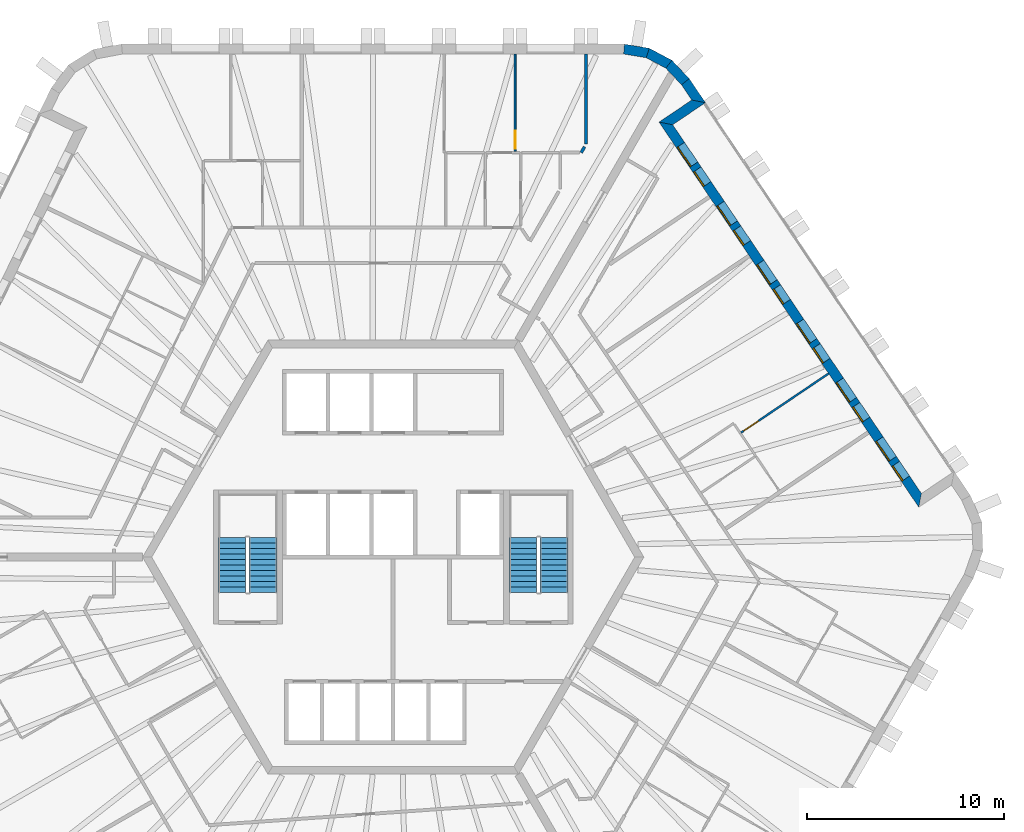
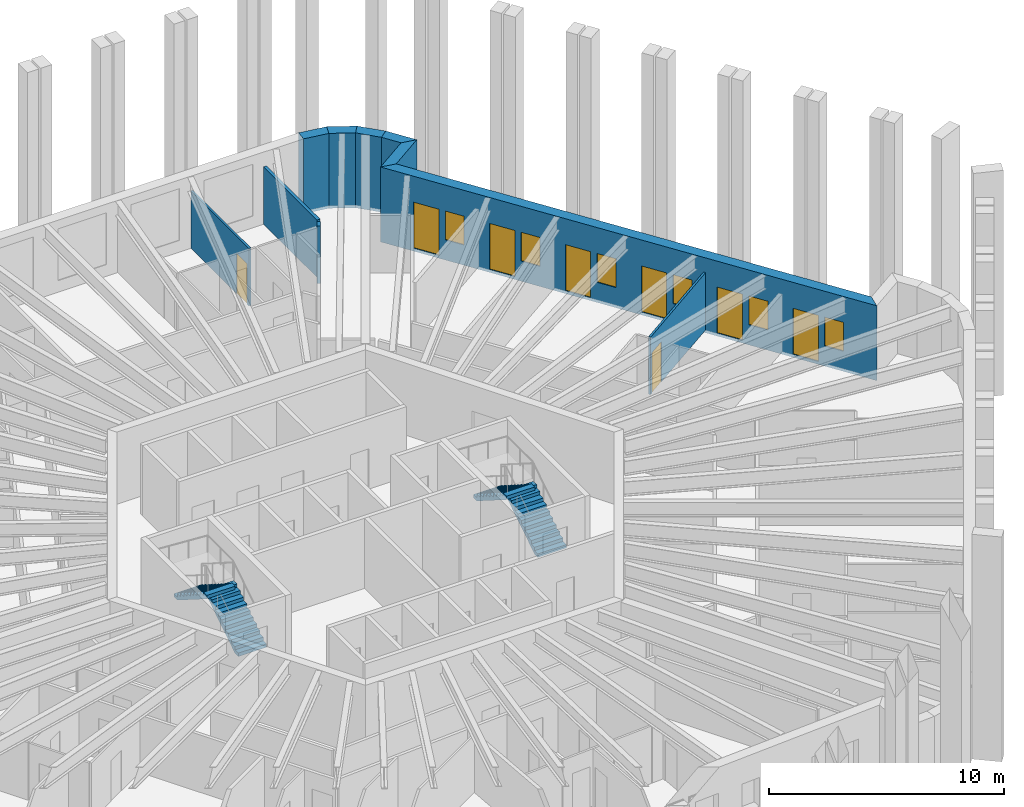
# One storey, part 11 of 13: 10 walls, 8 doors, 6 windows, 4 stair flights, 14 openings, 2 elements without a shape of their own.
"""IFC4 building model written with IfcOpenShell, lengths in metres."""

from ifc_helpers import new_model, si_unit, direction, frame, frame_2d, origin, place, context, subcontext, project, spatial, polyline, rectangle, outline, extrude, material, layer, layer_set, type_object, element, fill, aggregate, save


model = new_model("IFC4")

# Units and contexts
model_context = context("Model", 3, precision=1e-05, world=origin(), true_north=direction((0.0, 1.0)))
body_context = subcontext(model_context, "Body", "Model", "MODEL_VIEW")
ifc_project = project(units=[si_unit("LENGTHUNIT", "METRE"), si_unit("AREAUNIT", "SQUARE_METRE"), si_unit("VOLUMEUNIT", "CUBIC_METRE"), si_unit("PLANEANGLEUNIT", "RADIAN"), si_unit("MASSUNIT", "GRAM", prefix="KILO")], contexts=[model_context])

# Site, building, storey
site_placement = place(None, origin())
site = spatial("IfcSite", under=ifc_project, at=site_placement, CompositionType="ELEMENT")
building_placement = place(site_placement, origin())
building = spatial("IfcBuilding", under=site, at=building_placement, Name="Tarnside Tower", CompositionType="ELEMENT")
storey_placement = place(building_placement, frame((0.0, 0.0, 314.699951171875)))
storey = spatial("IfcBuildingStorey", under=building, at=storey_placement, Name="L76", CompositionType="ELEMENT", Elevation=314.699951171875)

# Walls
ifc_material_1 = material(Name="Gypsum board partition on steel studs", Category="steel")
ifc_layer_1 = layer(ifc_material_1, 0.14990234375)
ifc_layer_set_1 = layer_set([ifc_layer_1], Name="Corridor wall 150 EI 60")
wall_type_1 = type_object("IfcWallType", Name="Corridor wall 150 EI 60", PredefinedType="PARTITIONING", material=ifc_layer_set_1)
wall_1_placement = place(storey_placement, frame((9.775146484375, 25.5, 0.0), z_axis=(0.0, 0.0, 1.0), x_axis=(0.0, -1.0, 0.0)))
element("IfcWall", 1, at=wall_1_placement, inside=storey, type_object=wall_type_1, Name="Corridor wall 25004", PredefinedType="PARTITIONING", context=body_context, shape_type="SweptSolid", body=[
    extrude(rectangle(XDim=4.56884765625, YDim=0.14990234375, at=frame_2d((2.284423828125, 0.0))), origin(), (0.0, 0.0, 1.0), 2.98779296875),
])
wall_2_placement = place(storey_placement, frame((9.7001953125, 20.80126953125, 0.0), z_axis=(0.0, 0.0, 1.0), x_axis=(-0.499762962979, -0.866162213927, 0.0)))
element("IfcWall", 2, at=wall_2_placement, inside=storey, type_object=wall_type_1, Name="Corridor wall 25005", PredefinedType="PARTITIONING", context=body_context, shape_type="SweptSolid", body=[
    extrude(rectangle(XDim=0.347900390625, YDim=0.14990234375, at=frame_2d((0.173828125, 0.0))), origin(), (0.0, 0.0, 1.0), 2.98779296875),
])

# Wall, openings, doors, windows
ifc_material_2 = material(Name="Dark zinc cladding")
ifc_layer_2 = layer(ifc_material_2, 0.10205078125)
ifc_material_3 = material(Name="Concrete C60/75 precast", Category="concrete")
ifc_layer_3 = layer(ifc_material_3, 0.298095703125)
ifc_material_4 = material(Name="Mineral wool insulation")
ifc_layer_4 = layer(ifc_material_4, 0.10009765625)
ifc_layer_set_2 = layer_set([ifc_layer_2, ifc_layer_3, ifc_layer_4], Name="Loggia wall 500 zinc faced")
wall_type_2 = type_object("IfcWallType", Name="Loggia wall 500 zinc faced", PredefinedType="SOLIDWALL", material=ifc_layer_set_2)
wall_3_placement = place(storey_placement, frame((26.705810546875, 2.87890625, -0.14990234375), z_axis=(0.0, 0.0, 1.0), x_axis=(-0.559197891507, 0.829034208061, 0.0)))
wall_3 = element("IfcWall", 3, at=wall_3_placement, inside=storey, type_object=wall_type_2, Name="Tube wall L76 F6 back 30", PredefinedType="SOLIDWALL", context=body_context, shape_type="SweptSolid", body=[
    extrude(outline(polyline([(0.25, -0.25), (22.794677734375, -0.25), (23.294677734375, 0.25), (-0.25, 0.25), (0.25, -0.25)])), origin(), (0.0, 0.0, 1.0), 3.89990234375),
])
opening_1_placement = place(wall_3_placement, frame((1.322509765625, 0.0, 1.050048828125)))
opening_1 = element("IfcOpeningElement", 4, at=opening_1_placement, cuts=wall_3, Name="Opening WL500", PredefinedType="OPENING", context=body_context, shape_type="SweptSolid", body=[
    extrude(rectangle(XDim=0.89990234375, YDim=1.5, at=frame_2d((0.449951171875, 0.75))), frame((0.0, 0.260009765625, 0.0), z_axis=(0.0, -1.0, 0.0), x_axis=(1.0, 0.0, 0.0)), (0.0, 0.0, 1.0), 0.52001953125),
])
opening_2_placement = place(wall_3_placement, frame((2.5224609375, 0.0, 0.14990234375)))
opening_2 = element("IfcOpeningElement", 5, at=opening_2_placement, cuts=wall_3, Name="Opening DB500", PredefinedType="OPENING", context=body_context, shape_type="SweptSolid", body=[
    extrude(rectangle(XDim=1.199951171875, YDim=2.39990234375, at=frame_2d((0.60009765625, 1.199951171875))), frame((0.0, 0.260009765625, 0.0), z_axis=(0.0, -1.0, 0.0), x_axis=(1.0, 0.0, 0.0)), (0.0, 0.0, 1.0), 0.52001953125),
])
opening_3_placement = place(wall_3_placement, frame((4.92236328125, 0.0, 1.050048828125)))
opening_3 = element("IfcOpeningElement", 6, at=opening_3_placement, cuts=wall_3, Name="Opening WL500", PredefinedType="OPENING", context=body_context, shape_type="SweptSolid", body=[
    extrude(rectangle(XDim=0.89990234375, YDim=1.5, at=frame_2d((0.449951171875, 0.75))), frame((0.0, 0.260009765625, 0.0), z_axis=(0.0, -1.0, 0.0), x_axis=(1.0, 0.0, 0.0)), (0.0, 0.0, 1.0), 0.52001953125),
])
opening_4_placement = place(wall_3_placement, frame((6.122314453125, 0.0, 0.14990234375)))
opening_4 = element("IfcOpeningElement", 7, at=opening_4_placement, cuts=wall_3, Name="Opening DB500", PredefinedType="OPENING", context=body_context, shape_type="SweptSolid", body=[
    extrude(rectangle(XDim=1.199951171875, YDim=2.39990234375, at=frame_2d((0.60009765625, 1.199951171875))), frame((0.0, 0.260009765625, 0.0), z_axis=(0.0, -1.0, 0.0), x_axis=(1.0, 0.0, 0.0)), (0.0, 0.0, 1.0), 0.52001953125),
])
opening_5_placement = place(wall_3_placement, frame((8.5224609375, 0.0, 1.050048828125)))
opening_5 = element("IfcOpeningElement", 8, at=opening_5_placement, cuts=wall_3, Name="Opening WL500", PredefinedType="OPENING", context=body_context, shape_type="SweptSolid", body=[
    extrude(rectangle(XDim=0.89990234375, YDim=1.5, at=frame_2d((0.449951171875, 0.75))), frame((0.0, 0.260009765625, 0.0), z_axis=(0.0, -1.0, 0.0), x_axis=(1.0, 0.0, 0.0)), (0.0, 0.0, 1.0), 0.52001953125),
])
opening_6_placement = place(wall_3_placement, frame((9.722412109375, 0.0, 0.14990234375)))
opening_6 = element("IfcOpeningElement", 9, at=opening_6_placement, cuts=wall_3, Name="Opening DB500", PredefinedType="OPENING", context=body_context, shape_type="SweptSolid", body=[
    extrude(rectangle(XDim=1.199951171875, YDim=2.39990234375, at=frame_2d((0.60009765625, 1.199951171875))), frame((0.0, 0.260009765625, 0.0), z_axis=(0.0, -1.0, 0.0), x_axis=(1.0, 0.0, 0.0)), (0.0, 0.0, 1.0), 0.52001953125),
])
opening_7_placement = place(wall_3_placement, frame((12.122314453125, 0.0, 1.050048828125)))
opening_7 = element("IfcOpeningElement", 10, at=opening_7_placement, cuts=wall_3, Name="Opening WL500", PredefinedType="OPENING", context=body_context, shape_type="SweptSolid", body=[
    extrude(rectangle(XDim=0.89990234375, YDim=1.5, at=frame_2d((0.449951171875, 0.75))), frame((0.0, 0.260009765625, 0.0), z_axis=(0.0, -1.0, 0.0), x_axis=(1.0, 0.0, 0.0)), (0.0, 0.0, 1.0), 0.52001953125),
])
opening_8_placement = place(wall_3_placement, frame((13.322509765625, 0.0, 0.14990234375)))
opening_8 = element("IfcOpeningElement", 11, at=opening_8_placement, cuts=wall_3, Name="Opening DB500", PredefinedType="OPENING", context=body_context, shape_type="SweptSolid", body=[
    extrude(rectangle(XDim=1.199951171875, YDim=2.39990234375, at=frame_2d((0.60009765625, 1.199951171875))), frame((0.0, 0.260009765625, 0.0), z_axis=(0.0, -1.0, 0.0), x_axis=(1.0, 0.0, 0.0)), (0.0, 0.0, 1.0), 0.52001953125),
])
opening_9_placement = place(wall_3_placement, frame((15.722412109375, 0.0, 1.050048828125)))
opening_9 = element("IfcOpeningElement", 12, at=opening_9_placement, cuts=wall_3, Name="Opening WL500", PredefinedType="OPENING", context=body_context, shape_type="SweptSolid", body=[
    extrude(rectangle(XDim=0.89990234375, YDim=1.5, at=frame_2d((0.449951171875, 0.75))), frame((0.0, 0.260009765625, 0.0), z_axis=(0.0, -1.0, 0.0), x_axis=(1.0, 0.0, 0.0)), (0.0, 0.0, 1.0), 0.52001953125),
])
opening_10_placement = place(wall_3_placement, frame((16.92236328125, 0.0, 0.14990234375)))
opening_10 = element("IfcOpeningElement", 13, at=opening_10_placement, cuts=wall_3, Name="Opening DB500", PredefinedType="OPENING", context=body_context, shape_type="SweptSolid", body=[
    extrude(rectangle(XDim=1.199951171875, YDim=2.39990234375, at=frame_2d((0.60009765625, 1.199951171875))), frame((0.0, 0.260009765625, 0.0), z_axis=(0.0, -1.0, 0.0), x_axis=(1.0, 0.0, 0.0)), (0.0, 0.0, 1.0), 0.52001953125),
])
opening_11_placement = place(wall_3_placement, frame((19.322509765625, 0.0, 1.050048828125)))
opening_11 = element("IfcOpeningElement", 14, at=opening_11_placement, cuts=wall_3, Name="Opening WL500", PredefinedType="OPENING", context=body_context, shape_type="SweptSolid", body=[
    extrude(rectangle(XDim=0.89990234375, YDim=1.5, at=frame_2d((0.449951171875, 0.75))), frame((0.0, 0.260009765625, 0.0), z_axis=(0.0, -1.0, 0.0), x_axis=(1.0, 0.0, 0.0)), (0.0, 0.0, 1.0), 0.52001953125),
])
opening_12_placement = place(wall_3_placement, frame((20.5224609375, 0.0, 0.14990234375)))
opening_12 = element("IfcOpeningElement", 15, at=opening_12_placement, cuts=wall_3, Name="Opening DB500", PredefinedType="OPENING", context=body_context, shape_type="SweptSolid", body=[
    extrude(rectangle(XDim=1.199951171875, YDim=2.39990234375, at=frame_2d((0.60009765625, 1.199951171875))), frame((0.0, 0.260009765625, 0.0), z_axis=(0.0, -1.0, 0.0), x_axis=(1.0, 0.0, 0.0)), (0.0, 0.0, 1.0), 0.52001953125),
])
ifc_material_5 = material(Name="Aluminium-framed double glazing", Category="aluminium")
door_type_1 = type_object("IfcDoorType", Name="Balcony sliding door 1200 x 2400 in 500 wall", OperationType="SLIDING_TO_LEFT", PredefinedType="DOOR", material=ifc_material_5)
door_1_placement = place(opening_2_placement, frame((0.0, 0.1748046875, 0.0)))
door_1 = element("IfcDoor", 16, at=door_1_placement, inside=storey, type_object=door_type_1, Name="E.BD.L76.F6.00", OperationType="SLIDING_TO_LEFT", OverallHeight=2.39990234375, OverallWidth=1.199951171875, PredefinedType="DOOR", context=body_context, shape_type="SweptSolid", body=[
    extrude(rectangle(XDim=1.199951171875, YDim=2.39990234375, at=frame_2d((0.60009765625, 1.199951171875))), frame((0.0, 0.02490234375, 0.0), z_axis=(0.0, -1.0, 0.0), x_axis=(1.0, 0.0, 0.0)), (0.0, 0.0, 1.0), 0.050048828125),
])
fill(opening_2, door_1)
door_2_placement = place(opening_4_placement, frame((0.0, 0.1748046875, 0.0)))
door_2 = element("IfcDoor", 17, at=door_2_placement, inside=storey, type_object=door_type_1, Name="E.BD.L76.F6.01", OperationType="SLIDING_TO_LEFT", OverallHeight=2.39990234375, OverallWidth=1.199951171875, PredefinedType="DOOR", context=body_context, shape_type="SweptSolid", body=[
    extrude(rectangle(XDim=1.199951171875, YDim=2.39990234375, at=frame_2d((0.60009765625, 1.199951171875))), frame((0.0, 0.02490234375, 0.0), z_axis=(0.0, -1.0, 0.0), x_axis=(1.0, 0.0, 0.0)), (0.0, 0.0, 1.0), 0.050048828125),
])
fill(opening_4, door_2)
door_3_placement = place(opening_6_placement, frame((0.0, 0.1748046875, 0.0)))
door_3 = element("IfcDoor", 18, at=door_3_placement, inside=storey, type_object=door_type_1, Name="E.BD.L76.F6.02", OperationType="SLIDING_TO_LEFT", OverallHeight=2.39990234375, OverallWidth=1.199951171875, PredefinedType="DOOR", context=body_context, shape_type="SweptSolid", body=[
    extrude(rectangle(XDim=1.199951171875, YDim=2.39990234375, at=frame_2d((0.60009765625, 1.199951171875))), frame((0.0, 0.02490234375, 0.0), z_axis=(0.0, -1.0, 0.0), x_axis=(1.0, 0.0, 0.0)), (0.0, 0.0, 1.0), 0.050048828125),
])
fill(opening_6, door_3)
door_4_placement = place(opening_8_placement, frame((0.0, 0.1748046875, 0.0)))
door_4 = element("IfcDoor", 19, at=door_4_placement, inside=storey, type_object=door_type_1, Name="E.BD.L76.F6.03", OperationType="SLIDING_TO_LEFT", OverallHeight=2.39990234375, OverallWidth=1.199951171875, PredefinedType="DOOR", context=body_context, shape_type="SweptSolid", body=[
    extrude(rectangle(XDim=1.199951171875, YDim=2.39990234375, at=frame_2d((0.60009765625, 1.199951171875))), frame((0.0, 0.02490234375, 0.0), z_axis=(0.0, -1.0, 0.0), x_axis=(1.0, 0.0, 0.0)), (0.0, 0.0, 1.0), 0.050048828125),
])
fill(opening_8, door_4)
door_5_placement = place(opening_10_placement, frame((0.0, 0.1748046875, 0.0)))
door_5 = element("IfcDoor", 20, at=door_5_placement, inside=storey, type_object=door_type_1, Name="E.BD.L76.F6.04", OperationType="SLIDING_TO_LEFT", OverallHeight=2.39990234375, OverallWidth=1.199951171875, PredefinedType="DOOR", context=body_context, shape_type="SweptSolid", body=[
    extrude(rectangle(XDim=1.199951171875, YDim=2.39990234375, at=frame_2d((0.60009765625, 1.199951171875))), frame((0.0, 0.02490234375, 0.0), z_axis=(0.0, -1.0, 0.0), x_axis=(1.0, 0.0, 0.0)), (0.0, 0.0, 1.0), 0.050048828125),
])
fill(opening_10, door_5)
door_6_placement = place(opening_12_placement, frame((0.0, 0.1748046875, 0.0)))
door_6 = element("IfcDoor", 21, at=door_6_placement, inside=storey, type_object=door_type_1, Name="E.BD.L76.F6.05", OperationType="SLIDING_TO_LEFT", OverallHeight=2.39990234375, OverallWidth=1.199951171875, PredefinedType="DOOR", context=body_context, shape_type="SweptSolid", body=[
    extrude(rectangle(XDim=1.199951171875, YDim=2.39990234375, at=frame_2d((0.60009765625, 1.199951171875))), frame((0.0, 0.02490234375, 0.0), z_axis=(0.0, -1.0, 0.0), x_axis=(1.0, 0.0, 0.0)), (0.0, 0.0, 1.0), 0.050048828125),
])
fill(opening_12, door_6)
window_type = type_object("IfcWindowType", Name="Loggia window 900 x 1500 in 500 wall", PartitioningType="SINGLE_PANEL", PredefinedType="WINDOW", material=ifc_material_5)
window_1_placement = place(opening_1_placement, frame((0.0, 0.179931640625, 0.0)))
window_1 = element("IfcWindow", 22, at=window_1_placement, inside=storey, type_object=window_type, Name="E.LW.L76.F6.00", OverallHeight=1.5, OverallWidth=0.89990234375, PartitioningType="SINGLE_PANEL", PredefinedType="WINDOW", context=body_context, shape_type="SweptSolid", body=[
    extrude(rectangle(XDim=0.89990234375, YDim=1.5, at=frame_2d((0.449951171875, 0.75))), frame((0.0, 0.030029296875, 0.0), z_axis=(0.0, -1.0, 0.0), x_axis=(1.0, 0.0, 0.0)), (0.0, 0.0, 1.0), 0.06005859375),
])
fill(opening_1, window_1)
window_2_placement = place(opening_3_placement, frame((0.0, 0.179931640625, 0.0)))
window_2 = element("IfcWindow", 23, at=window_2_placement, inside=storey, type_object=window_type, Name="E.LW.L76.F6.01", OverallHeight=1.5, OverallWidth=0.89990234375, PartitioningType="SINGLE_PANEL", PredefinedType="WINDOW", context=body_context, shape_type="SweptSolid", body=[
    extrude(rectangle(XDim=0.89990234375, YDim=1.5, at=frame_2d((0.449951171875, 0.75))), frame((0.0, 0.030029296875, 0.0), z_axis=(0.0, -1.0, 0.0), x_axis=(1.0, 0.0, 0.0)), (0.0, 0.0, 1.0), 0.06005859375),
])
fill(opening_3, window_2)
window_3_placement = place(opening_5_placement, frame((0.0, 0.179931640625, 0.0)))
window_3 = element("IfcWindow", 24, at=window_3_placement, inside=storey, type_object=window_type, Name="E.LW.L76.F6.02", OverallHeight=1.5, OverallWidth=0.89990234375, PartitioningType="SINGLE_PANEL", PredefinedType="WINDOW", context=body_context, shape_type="SweptSolid", body=[
    extrude(rectangle(XDim=0.89990234375, YDim=1.5, at=frame_2d((0.449951171875, 0.75))), frame((0.0, 0.030029296875, 0.0), z_axis=(0.0, -1.0, 0.0), x_axis=(1.0, 0.0, 0.0)), (0.0, 0.0, 1.0), 0.06005859375),
])
fill(opening_5, window_3)
window_4_placement = place(opening_7_placement, frame((0.0, 0.179931640625, 0.0)))
window_4 = element("IfcWindow", 25, at=window_4_placement, inside=storey, type_object=window_type, Name="E.LW.L76.F6.03", OverallHeight=1.5, OverallWidth=0.89990234375, PartitioningType="SINGLE_PANEL", PredefinedType="WINDOW", context=body_context, shape_type="SweptSolid", body=[
    extrude(rectangle(XDim=0.89990234375, YDim=1.5, at=frame_2d((0.449951171875, 0.75))), frame((0.0, 0.030029296875, 0.0), z_axis=(0.0, -1.0, 0.0), x_axis=(1.0, 0.0, 0.0)), (0.0, 0.0, 1.0), 0.06005859375),
])
fill(opening_7, window_4)
window_5_placement = place(opening_9_placement, frame((0.0, 0.179931640625, 0.0)))
window_5 = element("IfcWindow", 26, at=window_5_placement, inside=storey, type_object=window_type, Name="E.LW.L76.F6.04", OverallHeight=1.5, OverallWidth=0.89990234375, PartitioningType="SINGLE_PANEL", PredefinedType="WINDOW", context=body_context, shape_type="SweptSolid", body=[
    extrude(rectangle(XDim=0.89990234375, YDim=1.5, at=frame_2d((0.449951171875, 0.75))), frame((0.0, 0.030029296875, 0.0), z_axis=(0.0, -1.0, 0.0), x_axis=(1.0, 0.0, 0.0)), (0.0, 0.0, 1.0), 0.06005859375),
])
fill(opening_9, window_5)
window_6_placement = place(opening_11_placement, frame((0.0, 0.179931640625, 0.0)))
window_6 = element("IfcWindow", 27, at=window_6_placement, inside=storey, type_object=window_type, Name="E.LW.L76.F6.05", OverallHeight=1.5, OverallWidth=0.89990234375, PartitioningType="SINGLE_PANEL", PredefinedType="WINDOW", context=body_context, shape_type="SweptSolid", body=[
    extrude(rectangle(XDim=0.89990234375, YDim=1.5, at=frame_2d((0.449951171875, 0.75))), frame((0.0, 0.030029296875, 0.0), z_axis=(0.0, -1.0, 0.0), x_axis=(1.0, 0.0, 0.0)), (0.0, 0.0, 1.0), 0.06005859375),
])
fill(opening_11, window_6)

# Walls
wall_4_placement = place(storey_placement, frame((13.8193359375, 21.983642578125, -0.14990234375), z_axis=(0.0, 0.0, 1.0), x_axis=(0.829052389485, 0.559170935841, 0.0)))
element("IfcWall", 28, at=wall_4_placement, inside=storey, type_object=wall_type_2, Name="Tube wall L76 F6 return 31", PredefinedType="SOLIDWALL", context=body_context, shape_type="SweptSolid", body=[
    extrude(outline(polyline([(0.25, -0.25), (2.25, -0.25), (1.75, 0.25), (-0.25, 0.25), (0.25, -0.25)])), origin(), (0.0, 0.0, 1.0), 3.89990234375),
])
wall_5_placement = place(storey_placement, frame((15.4775390625, 23.10205078125, -0.14990234375), z_axis=(0.0, 0.0, 1.0), x_axis=(-0.559245726333, 0.829001940636, 0.0)))
element("IfcWall", 29, at=wall_5_placement, inside=storey, type_object=wall_type_2, Name="Tube wall L76 F6 stub 32", PredefinedType="SOLIDWALL", context=body_context, shape_type="SweptSolid", body=[
    extrude(outline(polyline([(-0.25, -0.25), (1.220703125, -0.25), (1.1796875, 0.25), (0.25, 0.25), (-0.25, -0.25)])), origin(), (0.0, 0.0, 1.0), 3.89990234375),
])

# Wall, opening, door
ifc_layer_5 = layer(ifc_material_1, 0.10009765625)
ifc_layer_set_3 = layer_set([ifc_layer_5], Name="Partition 100")
wall_type_3 = type_object("IfcWallType", Name="Partition 100", PredefinedType="PARTITIONING", material=ifc_layer_set_3)
wall_6_placement = place(storey_placement, frame((6.17529296875, 25.5, 0.0), z_axis=(0.0, 0.0, 1.0), x_axis=(0.0, -1.0, 0.0)))
wall_6 = element("IfcWall", 30, at=wall_6_placement, inside=storey, type_object=wall_type_3, Name="Partition wall 25094", PredefinedType="PARTITIONING", context=body_context, shape_type="SweptSolid", body=[
    extrude(rectangle(XDim=4.949951171875, YDim=0.10009765625, at=frame_2d((2.47509765625, 0.0))), origin(), (0.0, 0.0, 1.0), 2.98779296875),
])
opening_13_placement = place(wall_6_placement, frame((3.89990234375, 0.0, 0.0)))
opening_13 = element("IfcOpeningElement", 31, at=opening_13_placement, cuts=wall_6, Name="Opening D-I1", PredefinedType="OPENING", context=body_context, shape_type="SweptSolid", body=[
    extrude(rectangle(XDim=0.89990234375, YDim=2.10009765625, at=frame_2d((0.449951171875, 1.050048828125))), frame((0.0, 0.06005859375, 0.0), z_axis=(0.0, -1.0, 0.0), x_axis=(1.0, 0.0, 0.0)), (0.0, 0.0, 1.0), 0.1201171875),
])
ifc_material_6 = material(Name="Timber door leaf", Category="wood")
door_type_2 = type_object("IfcDoorType", Name="Internal door 900", OperationType="NOTDEFINED", PredefinedType="DOOR", material=ifc_material_6)
door_7_placement = place(opening_13_placement, origin())
door_7 = element("IfcDoor", 32, at=door_7_placement, inside=storey, type_object=door_type_2, Name="Internal door 25008", OperationType="SINGLE_SWING_RIGHT", OverallHeight=2.10009765625, OverallWidth=0.89990234375, PredefinedType="DOOR", context=body_context, shape_type="SweptSolid", body=[
    extrude(rectangle(XDim=0.89990234375, YDim=2.10009765625, at=frame_2d((0.449951171875, 1.050048828125))), frame((0.0, 0.02490234375, 0.0), z_axis=(0.0, -1.0, 0.0), x_axis=(1.0, 0.0, 0.0)), (0.0, 0.0, 1.0), 0.050048828125),
])
fill(opening_13, door_7)

wall_7_placement = place(storey_placement, frame((17.633056640625, 6.315185546875, 0.0), z_axis=(0.0, 0.0, 1.0), x_axis=(0.82904753069, 0.559178139645, 0.0)))
wall_7 = element("IfcWall", 33, at=wall_7_placement, inside=storey, type_object=wall_type_3, Name="Partition wall 25168", PredefinedType="PARTITIONING", context=body_context, shape_type="SweptSolid", body=[
    extrude(rectangle(XDim=5.35009765625, YDim=0.10009765625, at=frame_2d((2.675048828125, 0.0))), origin(), (0.0, 0.0, 1.0), 2.98779296875),
])
opening_14_placement = place(wall_7_placement, frame((0.14990234375, 0.0, 0.0)))
opening_14 = element("IfcOpeningElement", 34, at=opening_14_placement, cuts=wall_7, Name="Opening D-I1", PredefinedType="OPENING", context=body_context, shape_type="SweptSolid", body=[
    extrude(rectangle(XDim=0.89990234375, YDim=2.10009765625, at=frame_2d((0.449951171875, 1.050048828125))), frame((0.0, 0.06005859375, 0.0), z_axis=(0.0, -1.0, 0.0), x_axis=(1.0, 0.0, 0.0)), (0.0, 0.0, 1.0), 0.1201171875),
])
door_8_placement = place(opening_14_placement, origin())
door_8 = element("IfcDoor", 35, at=door_8_placement, inside=storey, type_object=door_type_2, Name="Internal door 25066", OperationType="SINGLE_SWING_RIGHT", OverallHeight=2.10009765625, OverallWidth=0.89990234375, PredefinedType="DOOR", context=body_context, shape_type="SweptSolid", body=[
    extrude(rectangle(XDim=0.89990234375, YDim=2.10009765625, at=frame_2d((0.449951171875, 1.050048828125))), frame((0.0, 0.02490234375, 0.0), z_axis=(0.0, -1.0, 0.0), x_axis=(1.0, 0.0, 0.0)), (0.0, 0.0, 1.0), 0.050048828125),
])
fill(opening_14, door_8)

# Walls
ifc_material_7 = material(Name="Facing brick", Category="masonry")
ifc_layer_6 = layer(ifc_material_7, 0.10205078125)
ifc_layer_7 = layer(ifc_material_3, 0.298095703125)
ifc_layer_8 = layer(ifc_material_4, 0.10009765625)
ifc_layer_set_4 = layer_set([ifc_layer_6, ifc_layer_7, ifc_layer_8], Name="Tube wall 500 brick faced")
wall_type_4 = type_object("IfcWallType", Name="Tube wall 500 brick faced", PredefinedType="SOLIDWALL", material=ifc_layer_set_4)
wall_8_placement = place(storey_placement, frame((14.806396484375, 24.096923828125, -0.14990234375), z_axis=(0.0, 0.0, 1.0), x_axis=(-0.686234452793, 0.727380420275, 0.0)))
element("IfcWall", 36, at=wall_8_placement, inside=storey, type_object=wall_type_4, Name="Tube wall L76 F6 chord 33", PredefinedType="SOLIDWALL", context=body_context, shape_type="SweptSolid", body=[
    extrude(outline(polyline([(-0.0205078125, -0.25), (1.25732421875, -0.25), (1.17529296875, 0.25), (0.0205078125, 0.25), (-0.0205078125, -0.25)])), origin(), (0.0, 0.0, 1.0), 3.89990234375),
])
wall_9_placement = place(storey_placement, frame((13.9716796875, 24.981689453125, -0.14990234375), z_axis=(0.0, 0.0, 1.0), x_axis=(-0.882902492938, 0.469556373575, 0.0)))
element("IfcWall", 37, at=wall_9_placement, inside=storey, type_object=wall_type_4, Name="Tube wall L76 F6 chord 34", PredefinedType="SOLIDWALL", context=body_context, shape_type="SweptSolid", body=[
    extrude(outline(polyline([(-0.041015625, -0.25), (1.257080078125, -0.25), (1.175048828125, 0.25), (0.041015625, 0.25), (-0.041015625, -0.25)])), origin(), (0.0, 0.0, 1.0), 3.89990234375),
])
wall_10_placement = place(storey_placement, frame((12.89794921875, 25.552734375, -0.14990234375), z_axis=(0.0, 0.0, 1.0), x_axis=(-0.986765617372, 0.16215306464, 0.0)))
element("IfcWall", 38, at=wall_10_placement, inside=storey, type_object=wall_type_4, Name="Tube wall L76 F6 chord 35", PredefinedType="SOLIDWALL", context=body_context, shape_type="SweptSolid", body=[
    extrude(outline(polyline([(-0.041015625, -0.25), (1.237060546875, -0.25), (1.196044921875, 0.25), (0.041015625, 0.25), (-0.041015625, -0.25)])), origin(), (0.0, 0.0, 1.0), 3.89990234375),
])

# Stair, stair flights
ifc_material_8 = material(Name="Concrete C40/50", Category="concrete")
stair_type = type_object("IfcStairType", Name="Exit stair 1400 clear", PredefinedType="HALF_TURN_STAIR", material=ifc_material_8)
stair_1_placement = place(storey_placement, origin())
stair_1 = element("IfcStair", 39, at=stair_1_placement, inside=storey, type_object=stair_type, Name="L76 Exit stair 1", PredefinedType="HALF_TURN_STAIR")
stair_flight_type = type_object("IfcStairFlightType", Name="Exit stair flight 1400", PredefinedType="STRAIGHT", material=ifc_material_8)
stair_flight_1_placement = place(storey_placement, frame((8.14990234375, -1.800048828125, 0.0), z_axis=(0.0, 0.0, 1.0), x_axis=(0.0, 1.0, 0.0)))
stair_flight_1 = element("IfcStairFlight", 40, at=stair_flight_1_placement, type_object=stair_flight_type, Name="ST1 flight 1", NumberOfRisers=11, NumberOfTreads=10, PredefinedType="STRAIGHT", RiserHeight=0.177272727, TreadLength=0.28, context=body_context, shape_type="SweptSolid", body=[
    extrude(outline(polyline([(0.0, 0.0), (0.0, 0.17724609375), (0.280029296875, 0.17724609375), (0.280029296875, 0.3544921875), (0.56005859375, 0.3544921875), (0.56005859375, 0.53173828125), (0.840087890625, 0.53173828125), (0.840087890625, 0.708984375), (1.1201171875, 0.708984375), (1.1201171875, 0.886474609375), (1.39990234375, 0.886474609375), (1.39990234375, 1.063720703125), (1.679931640625, 1.063720703125), (1.679931640625, 1.240966796875), (1.9599609375, 1.240966796875), (1.9599609375, 1.418212890625), (2.239990234375, 1.418212890625), (2.239990234375, 1.595458984375), (2.52001953125, 1.595458984375), (2.52001953125, 1.772705078125), (2.800048828125, 1.772705078125), (2.800048828125, 1.949951171875), (2.800048828125, 1.59521484375), (0.2802734375, 0.0), (0.0, 0.0)])), frame((0.0, 0.699951171875, 0.0), z_axis=(0.0, -1.0, 0.0), x_axis=(1.0, 0.0, 0.0)), (0.0, 0.0, 1.0), 1.39990234375),
])
stair_flight_2_placement = place(storey_placement, frame((6.60009765625, 1.0, 1.949951171875), z_axis=(0.0, 0.0, 1.0), x_axis=(0.0, -1.0, 0.0)))
stair_flight_2 = element("IfcStairFlight", 41, at=stair_flight_2_placement, type_object=stair_flight_type, Name="ST1 flight 2", NumberOfRisers=11, NumberOfTreads=10, PredefinedType="STRAIGHT", RiserHeight=0.177272727, TreadLength=0.28, context=body_context, shape_type="SweptSolid", body=[
    extrude(outline(polyline([(0.0, 0.0), (0.0, 0.17724609375), (0.280029296875, 0.17724609375), (0.280029296875, 0.3544921875), (0.56005859375, 0.3544921875), (0.56005859375, 0.53173828125), (0.840087890625, 0.53173828125), (0.840087890625, 0.708984375), (1.1201171875, 0.708984375), (1.1201171875, 0.886474609375), (1.39990234375, 0.886474609375), (1.39990234375, 1.063720703125), (1.679931640625, 1.063720703125), (1.679931640625, 1.240966796875), (1.9599609375, 1.240966796875), (1.9599609375, 1.418212890625), (2.239990234375, 1.418212890625), (2.239990234375, 1.595458984375), (2.52001953125, 1.595458984375), (2.52001953125, 1.772705078125), (2.800048828125, 1.772705078125), (2.800048828125, 1.949951171875), (2.800048828125, 1.59521484375), (0.2802734375, 0.0), (0.0, 0.0)])), frame((0.0, 0.699951171875, 0.0), z_axis=(0.0, -1.0, 0.0), x_axis=(1.0, 0.0, 0.0)), (0.0, 0.0, 1.0), 1.39990234375),
])
aggregate(stair_1, [stair_flight_1, stair_flight_2])

stair_2_placement = place(storey_placement, origin())
stair_2 = element("IfcStair", 42, at=stair_2_placement, inside=storey, type_object=stair_type, Name="L76 Exit stair 2", PredefinedType="HALF_TURN_STAIR")
stair_flight_3_placement = place(storey_placement, frame((-6.60009765625, -1.800048828125, 0.0), z_axis=(0.0, 0.0, 1.0), x_axis=(0.0, 1.0, 0.0)))
stair_flight_3 = element("IfcStairFlight", 43, at=stair_flight_3_placement, type_object=stair_flight_type, Name="ST2 flight 1", NumberOfRisers=11, NumberOfTreads=10, PredefinedType="STRAIGHT", RiserHeight=0.177272727, TreadLength=0.28, context=body_context, shape_type="SweptSolid", body=[
    extrude(outline(polyline([(0.0, 0.0), (0.0, 0.17724609375), (0.280029296875, 0.17724609375), (0.280029296875, 0.3544921875), (0.56005859375, 0.3544921875), (0.56005859375, 0.53173828125), (0.840087890625, 0.53173828125), (0.840087890625, 0.708984375), (1.1201171875, 0.708984375), (1.1201171875, 0.886474609375), (1.39990234375, 0.886474609375), (1.39990234375, 1.063720703125), (1.679931640625, 1.063720703125), (1.679931640625, 1.240966796875), (1.9599609375, 1.240966796875), (1.9599609375, 1.418212890625), (2.239990234375, 1.418212890625), (2.239990234375, 1.595458984375), (2.52001953125, 1.595458984375), (2.52001953125, 1.772705078125), (2.800048828125, 1.772705078125), (2.800048828125, 1.949951171875), (2.800048828125, 1.59521484375), (0.2802734375, 0.0), (0.0, 0.0)])), frame((0.0, 0.699951171875, 0.0), z_axis=(0.0, -1.0, 0.0), x_axis=(1.0, 0.0, 0.0)), (0.0, 0.0, 1.0), 1.39990234375),
])
stair_flight_4_placement = place(storey_placement, frame((-8.14990234375, 1.0, 1.949951171875), z_axis=(0.0, 0.0, 1.0), x_axis=(0.0, -1.0, 0.0)))
stair_flight_4 = element("IfcStairFlight", 44, at=stair_flight_4_placement, type_object=stair_flight_type, Name="ST2 flight 2", NumberOfRisers=11, NumberOfTreads=10, PredefinedType="STRAIGHT", RiserHeight=0.177272727, TreadLength=0.28, context=body_context, shape_type="SweptSolid", body=[
    extrude(outline(polyline([(0.0, 0.0), (0.0, 0.17724609375), (0.280029296875, 0.17724609375), (0.280029296875, 0.3544921875), (0.56005859375, 0.3544921875), (0.56005859375, 0.53173828125), (0.840087890625, 0.53173828125), (0.840087890625, 0.708984375), (1.1201171875, 0.708984375), (1.1201171875, 0.886474609375), (1.39990234375, 0.886474609375), (1.39990234375, 1.063720703125), (1.679931640625, 1.063720703125), (1.679931640625, 1.240966796875), (1.9599609375, 1.240966796875), (1.9599609375, 1.418212890625), (2.239990234375, 1.418212890625), (2.239990234375, 1.595458984375), (2.52001953125, 1.595458984375), (2.52001953125, 1.772705078125), (2.800048828125, 1.772705078125), (2.800048828125, 1.949951171875), (2.800048828125, 1.59521484375), (0.2802734375, 0.0), (0.0, 0.0)])), frame((0.0, 0.699951171875, 0.0), z_axis=(0.0, -1.0, 0.0), x_axis=(1.0, 0.0, 0.0)), (0.0, 0.0, 1.0), 1.39990234375),
])
aggregate(stair_2, [stair_flight_3, stair_flight_4])

save(model, "model.ifc")
